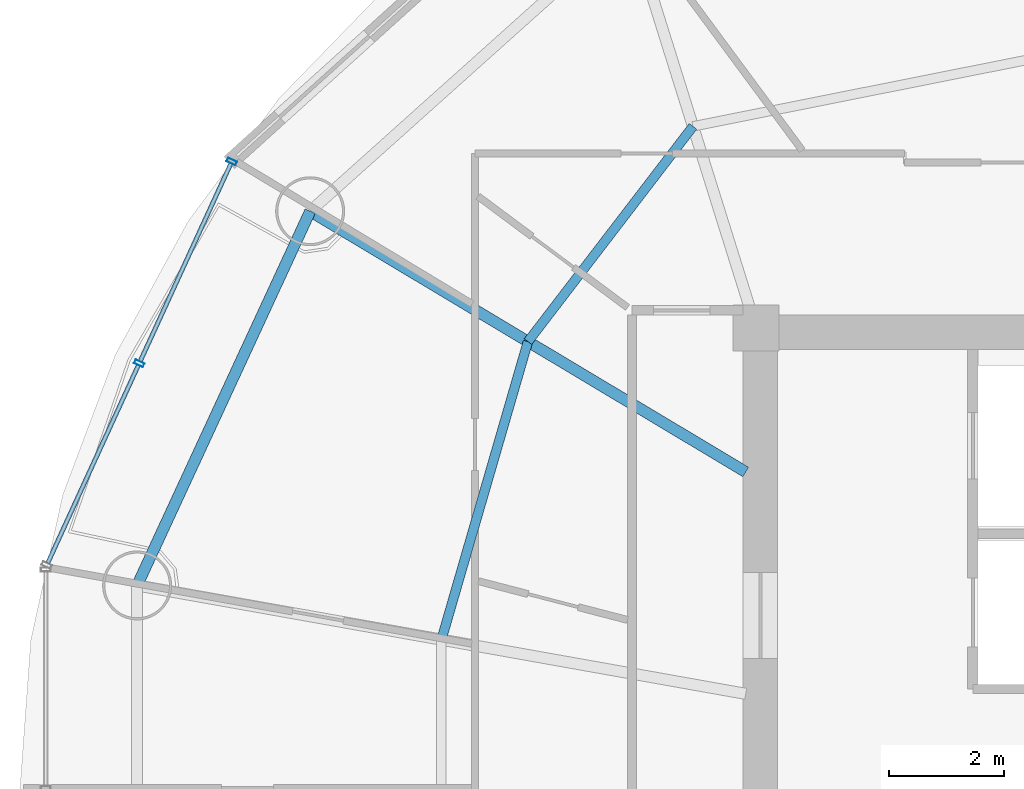
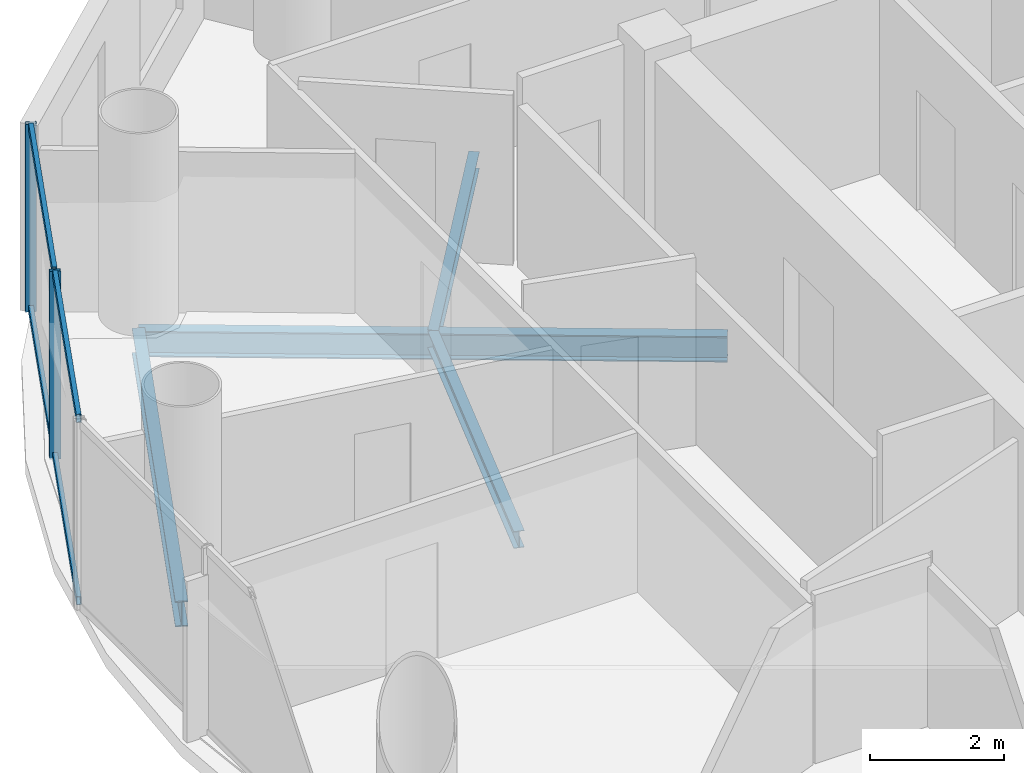
# One storey, part 9 of 26: 6 members, 4 beams, 1 element without a shape of its own.
"""IFC4 building model written with IfcOpenShell, lengths in metres."""

from ifc_helpers import new_model, si_unit, direction, frame, origin, origin_2d, place, context, subcontext, project, spatial, hollow_rectangle, i_section, extrude, source, transform, mapped, material, material_profile, profile_set, type_object, element, aggregate, save


model = new_model("IFC4")

# Units and contexts
model_context = context("Model", 3, precision=1e-05, world=origin(), true_north=direction((-0.2419218956, 0.970295726276)))
body_context = subcontext(model_context, "Body", "Model", "MODEL_VIEW")
ifc_project = project(units=[si_unit("LENGTHUNIT", "METRE"), si_unit("AREAUNIT", "SQUARE_METRE"), si_unit("VOLUMEUNIT", "CUBIC_METRE"), si_unit("PLANEANGLEUNIT", "RADIAN"), si_unit("MASSUNIT", "GRAM", prefix="KILO")], contexts=[model_context])

# Site, building, storey
site_placement = place(None, origin())
site = spatial("IfcSite", under=ifc_project, at=site_placement, CompositionType="ELEMENT")
building_placement = place(site_placement, origin())
building = spatial("IfcBuilding", under=site, at=building_placement, Name="Cobrevalo Terracotta Tower", CompositionType="ELEMENT")
storey_placement = place(building_placement, frame((0.0, 0.0, 231.89990234375)))
storey = spatial("IfcBuildingStorey", under=building, at=storey_placement, Name="L61", CompositionType="ELEMENT", Elevation=231.89990234375)

# Beams
ifc_material_1 = material(Name="Steel S355", Category="steel")
ifc_material_profile_1 = material_profile(ifc_material_1, i_section(OverallWidth=0.194091796875, OverallDepth=0.468994140625, WebThickness=0.011474609375, FlangeThickness=0.0205078125, at=origin_2d()), Name="W 460x106")
ifc_profile_set_1 = profile_set([ifc_material_profile_1], Name="Steel S355")
beam_type_1 = type_object("IfcBeamType", Name="Structural Beam W 460x106 (Steel S355)", PredefinedType="BEAM", material=ifc_profile_set_1)
beam_1_placement = place(storey_placement, frame((21.245849609375, 36.828125, -0.49951171875), z_axis=(0.858046392192, -0.513572184651, 0.0), x_axis=(0.513572184651, 0.858046392192, 0.0)))
element("IfcBeam", 1, at=beam_1_placement, inside=storey, type_object=beam_type_1, Name="L61 radial floor girder 07", PredefinedType="BEAM", context=body_context, shape_type="SweptSolid", body=[
    extrude(i_section(OverallWidth=0.194091796875, OverallDepth=0.468994140625, WebThickness=0.011474609375, FlangeThickness=0.0205078125, at=origin_2d()), origin(), (0.0, 0.0, 1.0), 8.827392578125),
])
ifc_material_profile_2 = material_profile(ifc_material_1, i_section(OverallWidth=0.1650390625, OverallDepth=0.31005859375, WebThickness=0.005859375, FlangeThickness=0.009765625, at=origin_2d()), Name="W 310x38.7")
ifc_profile_set_2 = profile_set([ifc_material_profile_2], Name="Steel S355")
beam_type_2 = type_object("IfcBeamType", Name="Structural Joist W 310x38.7 (Steel S355)", PredefinedType="JOIST", material=ifc_profile_set_2)
beam_2_placement = place(storey_placement, frame((27.902587890625, 38.303955078125, -0.419921875), z_axis=(-0.608464146296, -0.793581364872, 0.0), x_axis=(0.793581364872, -0.608464146296, 0.0)))
element("IfcBeam", 2, at=beam_2_placement, inside=storey, type_object=beam_type_2, Name="L61 circumferential secondary floor joist 06", PredefinedType="JOIST", context=body_context, shape_type="SweptSolid", body=[
    extrude(i_section(OverallWidth=0.1650390625, OverallDepth=0.31005859375, WebThickness=0.005859375, FlangeThickness=0.009765625, at=origin_2d()), origin(), (0.0, 0.0, 1.0), 4.716064453125),
])
beam_3_placement = place(storey_placement, frame((25.032958984375, 34.561279296875, -0.419921875), z_axis=(-0.278769817131, -0.960357948401, 0.0), x_axis=(0.960357948401, -0.278769817131, 0.0)))
element("IfcBeam", 3, at=beam_3_placement, inside=storey, type_object=beam_type_2, Name="L61 circumferential secondary floor joist 07", PredefinedType="JOIST", context=body_context, shape_type="SweptSolid", body=[
    extrude(i_section(OverallWidth=0.1650390625, OverallDepth=0.31005859375, WebThickness=0.005859375, FlangeThickness=0.009765625, at=origin_2d()), origin(), (0.0, 0.0, 1.0), 5.396484375),
])
ifc_material_profile_3 = material_profile(ifc_material_1, i_section(OverallWidth=0.194091796875, OverallDepth=0.468994140625, WebThickness=0.011474609375, FlangeThickness=0.0205078125, at=origin_2d()), Name="W 460x106")
ifc_profile_set_3 = profile_set([ifc_material_profile_3], Name="Steel S355")
beam_type_3 = type_object("IfcBeamType", Name="Structural Spandrel W 460x106 (Steel S355)", PredefinedType="SPANDREL", material=ifc_profile_set_3)
beam_4_placement = place(storey_placement, frame((21.245849609375, 36.828125, -0.49951171875), z_axis=(-0.419705965131, -0.907660125176, 0.0), x_axis=(0.907660125176, -0.419705965131, 0.0)))
element("IfcBeam", 4, at=beam_4_placement, inside=storey, type_object=beam_type_3, Name="L61 perimeter ring spandrel 07", PredefinedType="SPANDREL", context=body_context, shape_type="SweptSolid", body=[
    extrude(i_section(OverallWidth=0.194091796875, OverallDepth=0.468994140625, WebThickness=0.011474609375, FlangeThickness=0.0205078125, at=origin_2d()), origin(), (0.0, 0.0, 1.0), 7.168701171875),
])

# Curtain wall, members
ifc_material_2 = material(Name="Anodized aluminium", Category="aluminium")
curtain_wall_type = type_object("IfcCurtainWallType", Name="Mid-tower high-wind unitised curtain wall CW-U2", PredefinedType="NOTDEFINED", material=ifc_material_2)
curtain_wall_placement = place(storey_placement, origin())
curtain_wall = element("IfcCurtainWall", 5, at=curtain_wall_placement, inside=storey, type_object=curtain_wall_type, Name="L61 curtain wall CW-L61-S07", PredefinedType="NOTDEFINED")
ifc_material_profile_4 = material_profile(ifc_material_2, hollow_rectangle(XDim=0.074951171875, YDim=0.14990234375, WallThickness=0.00439453125, at=origin_2d()), Name="CWT 75x150")
ifc_profile_set_4 = profile_set([ifc_material_profile_4], Name="Anodized aluminium")
member_type_1 = type_object("IfcMemberType", Name="Tower unitised aluminium transom 75x150", PredefinedType="USERDEFINED", material=ifc_profile_set_4)
shared_shape_1 = source(origin(), body_context, "Body", "SweptSolid", [
    extrude(hollow_rectangle(XDim=0.074951171875, YDim=0.14990234375, WallThickness=0.00439453125, at=origin_2d()), origin(), (0.0, 0.0, 1.0), 3.780029296875),
])
member_1_placement = place(storey_placement, frame((19.865478515625, 37.6552734375, 0.050048828125), z_axis=(-0.416705859352, -0.909041377926, 0.0), x_axis=(0.909041377926, -0.416705859352, 0.0)))
member_1 = element("IfcMember", 6, at=member_1_placement, type_object=member_type_1, Name="CW-L61-S07 transom B01-T1", ObjectType="TRANSOM", PredefinedType="USERDEFINED", context=body_context, shape_type="MappedRepresentation", body=[
    mapped(shared_shape_1, transform((0.0, 0.0, 0.0), scale=1.0)),
])
member_2_placement = place(storey_placement, frame((19.865478515625, 37.6552734375, 3.385009765625), z_axis=(-0.416705859352, -0.909041377926, 0.0), x_axis=(0.909041377926, -0.416705859352, 0.0)))
member_2 = element("IfcMember", 7, at=member_2_placement, type_object=member_type_1, Name="CW-L61-S07 transom B01-T2", ObjectType="TRANSOM", PredefinedType="USERDEFINED", context=body_context, shape_type="MappedRepresentation", body=[
    mapped(shared_shape_1, transform((0.0, 0.0, 0.0), scale=1.0)),
])
member_3_placement = place(storey_placement, frame((18.2568359375, 34.146484375, 0.050048828125), z_axis=(-0.416705859352, -0.909041377926, 0.0), x_axis=(0.909041377926, -0.416705859352, 0.0)))
member_3 = element("IfcMember", 8, at=member_3_placement, type_object=member_type_1, Name="CW-L61-S07 transom B02-T1", ObjectType="TRANSOM", PredefinedType="USERDEFINED", context=body_context, shape_type="MappedRepresentation", body=[
    mapped(shared_shape_1, transform((0.0, 0.0, 0.0), scale=1.0)),
])
member_4_placement = place(storey_placement, frame((18.2568359375, 34.146484375, 3.385009765625), z_axis=(-0.416705859352, -0.909041377926, 0.0), x_axis=(0.909041377926, -0.416705859352, 0.0)))
member_4 = element("IfcMember", 9, at=member_4_placement, type_object=member_type_1, Name="CW-L61-S07 transom B02-T2", ObjectType="TRANSOM", PredefinedType="USERDEFINED", context=body_context, shape_type="MappedRepresentation", body=[
    mapped(shared_shape_1, transform((0.0, 0.0, 0.0), scale=1.0)),
])
ifc_material_profile_5 = material_profile(ifc_material_2, hollow_rectangle(XDim=0.070068359375, YDim=0.169921875, WallThickness=0.00439453125, at=origin_2d()), Name="CWM 70x170")
ifc_profile_set_5 = profile_set([ifc_material_profile_5], Name="Anodized aluminium")
member_type_2 = type_object("IfcMemberType", Name="Upper tower unitised mullion 70x170", PredefinedType="MULLION", material=ifc_profile_set_5)
shared_shape_2 = source(origin(), body_context, "Body", "SweptSolid", [
    extrude(hollow_rectangle(XDim=0.070068359375, YDim=0.169921875, WallThickness=0.00439453125, at=origin_2d()), origin(), (0.0, 0.0, 1.0), 3.43505859375),
])
member_5_placement = place(storey_placement, frame((19.88232421875, 37.691650390625, 0.0), z_axis=(0.0, 0.0, 1.0), x_axis=(-0.41672507912, -0.909032567311, 0.0)))
member_5 = element("IfcMember", 10, at=member_5_placement, type_object=member_type_2, Name="CW-L61-S07 vertical mullion 01", PredefinedType="MULLION", context=body_context, shape_type="MappedRepresentation", body=[
    mapped(shared_shape_2, transform((0.0, 0.0, 0.0), scale=1.0)),
])
member_6_placement = place(storey_placement, frame((18.273681640625, 34.182861328125, 0.0), z_axis=(0.0, 0.0, 1.0), x_axis=(-0.41672507912, -0.909032567311, 0.0)))
member_6 = element("IfcMember", 11, at=member_6_placement, type_object=member_type_2, Name="CW-L61-S07 vertical mullion 02", PredefinedType="MULLION", context=body_context, shape_type="MappedRepresentation", body=[
    mapped(shared_shape_2, transform((0.0, 0.0, 0.0), scale=1.0)),
])
aggregate(curtain_wall, [member_5, member_6, member_1, member_2, member_3, member_4])

save(model, "model.ifc")
